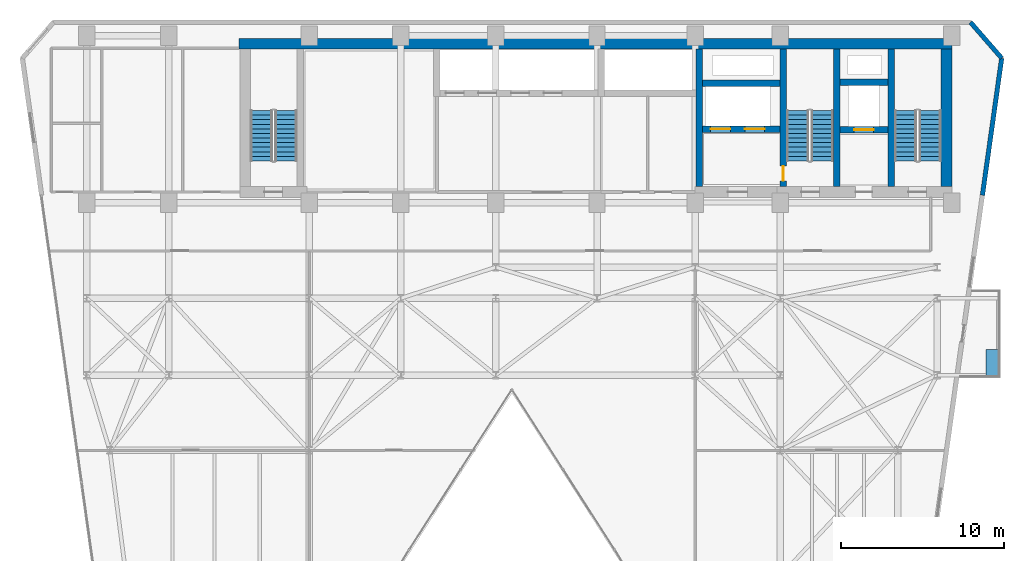
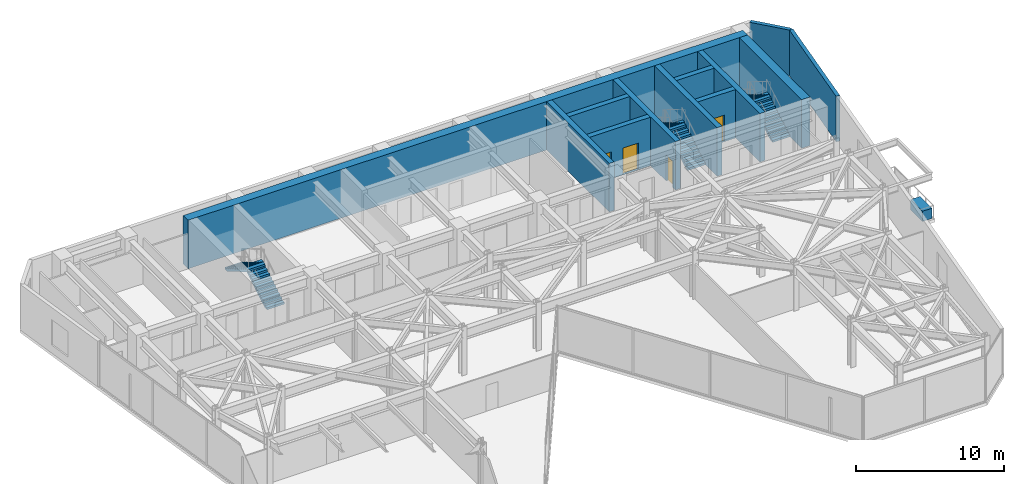
# One storey, part 23 of 26: 12 walls, 6 stair flights, 4 doors, 1 discrete accessory, 4 openings, 3 elements without a shape of their own.
"""IFC4 building model written with IfcOpenShell, lengths in metres."""

import ifcopenshell
import ifcopenshell.guid

model = None  # the IFC model being written
_history = None  # IfcOwnerHistory: only IFC2X3 demands one
_inside = {}  # id of a spatial element -> (the spatial element, [elements in it])
_under = {}  # id of a project, library or spatial element -> (it, [spatial elements below it])
_declared = {}  # id of a project -> (the project, [libraries it declares])
_typed = {}  # id of a type object -> (the type object, [elements of that type])
_made_of = {}  # id of a material, layer set ... -> (it, [elements and type objects made of it])


def new_model(schema):
    """Start an empty IFC model of exactly this schema.

    Asked for "IFC4X3", IfcOpenShell would pick the latest addendum, in which some entities
    have other attributes; the version numbers below select the first issue.
    IFC2X3 requires an IfcOwnerHistory on every rooted entity: one is made here for all.
    """
    global model, _history
    if schema == "IFC4X3":
        model = ifcopenshell.file(schema_version=(4, 3, 0, 0))
    else:
        model = ifcopenshell.file(schema=schema)
    _inside.clear()
    _under.clear()
    _declared.clear()
    _typed.clear()
    _made_of.clear()
    _history = None
    if model.schema == "IFC2X3":
        org = make("IfcOrganization", Name="unknown")
        user = make(
            "IfcPersonAndOrganization",
            ThePerson=make("IfcPerson", FamilyName="unknown"),
            TheOrganization=org,
        )
        app = make(
            "IfcApplication",
            ApplicationDeveloper=org,
            Version="unknown",
            ApplicationFullName="unknown",
            ApplicationIdentifier="unknown",
        )
        _history = make(
            "IfcOwnerHistory",
            OwningUser=user,
            OwningApplication=app,
            ChangeAction="ADDED",
            CreationDate=0,
        )
    return model


def make(cls, **values):
    """One entity of the class cls with the attributes given. An attribute that is None is left unset."""
    return model.create_entity(
        cls, **{name: value for name, value in values.items() if value is not None}
    )


def rooted(cls, **values):
    """An entity with a GlobalId (a new one), such as an element, a storey or a relation."""
    return make(cls, GlobalId=ifcopenshell.guid.new(), OwnerHistory=_history, **values)


def si_unit(unit_type, name, prefix=None):
    """IfcSIUnit, for example si_unit("LENGTHUNIT", "METRE", prefix="MILLI")."""
    return make("IfcSIUnit", UnitType=unit_type, Prefix=prefix, Name=name)


def assignment(units):
    """IfcUnitAssignment: the units of a project."""
    return None if units is None else make("IfcUnitAssignment", Units=units)


def point(xyz):
    """IfcCartesianPoint."""
    return None if xyz is None else make("IfcCartesianPoint", Coordinates=xyz)


def direction(xyz):
    """IfcDirection."""
    return None if xyz is None else make("IfcDirection", DirectionRatios=xyz)


def frame(location, z_axis=None, x_axis=None):
    """IfcAxis2Placement3D, a coordinate frame: its origin and axes. An axis left out is left unset."""
    return make(
        "IfcAxis2Placement3D",
        Location=point(location),
        Axis=direction(z_axis),
        RefDirection=direction(x_axis),
    )


def frame_2d(location, x_axis=None):
    """IfcAxis2Placement2D, a coordinate frame in the plane: its origin and x axis."""
    return make(
        "IfcAxis2Placement2D", Location=point(location), RefDirection=direction(x_axis)
    )


def origin():
    """The frame at (0, 0, 0) with its axes left unset."""
    return frame((0.0, 0.0, 0.0))


def origin_2d():
    """The frame at (0, 0) in the plane with its x axis left unset."""
    return frame_2d((0.0, 0.0))


def place(relative_to, where):
    """IfcLocalPlacement: puts the frame where relative to a parent placement (None: the world)."""
    return make(
        "IfcLocalPlacement", PlacementRelTo=relative_to, RelativePlacement=where
    )


def context(
    kind, dimensions, precision=None, world=None, true_north=None, identifier=None
):
    """IfcGeometricRepresentationContext, for example the 3D "Model" context."""
    return make(
        "IfcGeometricRepresentationContext",
        ContextIdentifier=identifier,
        ContextType=kind,
        CoordinateSpaceDimension=dimensions,
        Precision=precision,
        WorldCoordinateSystem=world,
        TrueNorth=true_north,
    )


def subcontext(parent, identifier, kind, view, scale=None):
    """IfcGeometricRepresentationSubContext, for example "Body" below "Model"."""
    return make(
        "IfcGeometricRepresentationSubContext",
        ContextIdentifier=identifier,
        ContextType=kind,
        ParentContext=parent,
        TargetScale=scale,
        TargetView=view,
    )


def project(units=None, contexts=None):
    """IfcProject with its units and contexts."""
    return rooted(
        "IfcProject",
        Name="project",
        RepresentationContexts=contexts,
        UnitsInContext=assignment(units),
    )


def spatial(cls, under=None, at=None, **own):
    """A site, building, storey or space (cls), placed at a placement, below another one or the project."""
    s = rooted(cls, ObjectPlacement=at, **own)
    if under is not None:
        _under.setdefault(under.id(), (under, []))[1].append(s)
    return s


def polyline(points):
    """IfcPolyline through the points."""
    return make("IfcPolyline", Points=[point(p) for p in points])


def profile(cls, at=None, kind="AREA", **sizes):
    """A parametric profile (cls). Its sizes go by their IFC names, for example OverallWidth=200.0."""
    return make(cls, ProfileType=kind, Position=at, **sizes)


def rectangle(**sizes):
    """IfcRectangleProfileDef."""
    return profile("IfcRectangleProfileDef", **sizes)


def outline(outer, holes=None, kind="AREA"):
    """IfcArbitraryClosedProfileDef: a profile drawn as a closed curve; with holes, ...WithVoids."""
    if holes is None:
        return make("IfcArbitraryClosedProfileDef", ProfileType=kind, OuterCurve=outer)
    return make(
        "IfcArbitraryProfileDefWithVoids",
        ProfileType=kind,
        OuterCurve=outer,
        InnerCurves=holes,
    )


def extrude(swept, where, along, depth):
    """IfcExtrudedAreaSolid: the profile swept, set in the frame where, extruded along a direction by depth."""
    return make(
        "IfcExtrudedAreaSolid",
        SweptArea=swept,
        Position=where,
        ExtrudedDirection=direction(along),
        Depth=depth,
    )


def shape(context_of_items, identifier, shape_type, items):
    """IfcShapeRepresentation: the items that make up one representation, for example the "Body"."""
    return make(
        "IfcShapeRepresentation",
        ContextOfItems=context_of_items,
        RepresentationIdentifier=identifier,
        RepresentationType=shape_type,
        Items=items,
    )


def material(Name=None, Category=None):
    """IfcMaterial."""
    return make("IfcMaterial", Name=Name, Category=Category)


def layer(
    of_material, thickness, ventilated=None, Name=None, Category=None, Priority=None
):
    """IfcMaterialLayer: one layer of a wall or slab, of a material (None: an air gap)."""
    return make(
        "IfcMaterialLayer",
        Material=of_material,
        LayerThickness=thickness,
        IsVentilated=ventilated,
        Name=Name,
        Category=Category,
        Priority=Priority,
    )


def layer_set(layers, Name=None):
    """IfcMaterialLayerSet."""
    return make("IfcMaterialLayerSet", MaterialLayers=layers, LayerSetName=Name)


def made_of(thing, what):
    """Note that an element or type object is made of a material, layer set ...; save() writes the relation."""
    if what is not None:
        _made_of.setdefault(what.id(), (what, []))[1].append(thing)
    return thing


def type_object(cls, material=None, **own):
    """A type object (cls), such as IfcWallType, which elements share."""
    return made_of(rooted(cls, **own), material)


def element(
    cls,
    number,
    at=None,
    inside=None,
    cuts=None,
    type_object=None,
    material=None,
    context=None,
    identifier="Body",
    shape_type=None,
    held_by="IfcProductDefinitionShape",
    body=None,
    shapes=None,
    **own,
):
    """One element of the class cls, such as IfcWall. Its Tag is "e" and its number.

    at: its placement. inside: the storey or other place that contains it. cuts: it is an
    opening in that element (IfcRelVoidsElement). A single representation is given by context,
    identifier, shape_type and body (its items); several are given by shapes. held_by: the class
    of the entity that holds the representations. save() writes the other relations.
    """
    e = rooted(cls, Tag="e%d" % number, ObjectPlacement=at, **own)
    if body is not None:
        shapes = [shape(context, identifier, shape_type, body)]
    if shapes is not None:
        e.Representation = make(held_by, Representations=shapes)
    if inside is not None:
        _inside.setdefault(inside.id(), (inside, []))[1].append(e)
    if cuts is not None:
        rooted(
            "IfcRelVoidsElement", RelatingBuildingElement=cuts, RelatedOpeningElement=e
        )
    if type_object is not None:
        _typed.setdefault(type_object.id(), (type_object, []))[1].append(e)
    return made_of(e, material)


def fill(opening, filler):
    """IfcRelFillsElement: the door or window that sits in an opening."""
    return rooted(
        "IfcRelFillsElement",
        RelatingOpeningElement=opening,
        RelatedBuildingElement=filler,
    )


def aggregate(whole, parts):
    """IfcRelAggregates: a whole, such as a stair, and the parts it consists of."""
    return rooted("IfcRelAggregates", RelatingObject=whole, RelatedObjects=parts)


def save(model, path):
    """Write the relations noted so far, then the file.

    IfcRelAggregates (storeys below a building ...), IfcRelContainedInSpatialStructure (elements
    in a storey), IfcRelDefinesByType, IfcRelAssociatesMaterial and IfcRelDeclares: one each for
    every whole, place, type object, material and project.
    """
    for whole, parts in _under.values():
        aggregate(whole, parts)
    for where, things in _inside.values():
        rooted(
            "IfcRelContainedInSpatialStructure",
            RelatedElements=things,
            RelatingStructure=where,
        )
    for kind, things in _typed.values():
        rooted("IfcRelDefinesByType", RelatedObjects=things, RelatingType=kind)
    for what, things in _made_of.values():
        rooted("IfcRelAssociatesMaterial", RelatedObjects=things, RelatingMaterial=what)
    for by, libraries in _declared.values():
        rooted("IfcRelDeclares", RelatingContext=by, RelatedDefinitions=libraries)
    model.write(path)


model = new_model("IFC4")

# Units and contexts
model_context = context("Model", 3, precision=1e-05, world=origin(), true_north=direction((0.0, 1.0)))
body_context = subcontext(model_context, "Body", "Model", "MODEL_VIEW")
ifc_project = project(units=[si_unit("LENGTHUNIT", "METRE"), si_unit("AREAUNIT", "SQUARE_METRE"), si_unit("VOLUMEUNIT", "CUBIC_METRE"), si_unit("PLANEANGLEUNIT", "RADIAN"), si_unit("MASSUNIT", "GRAM", prefix="KILO")], contexts=[model_context])

# Site, building, storey
site_placement = place(None, origin())
site = spatial("IfcSite", under=ifc_project, at=site_placement, CompositionType="ELEMENT")
building_placement = place(site_placement, origin())
building = spatial("IfcBuilding", under=site, at=building_placement, Name="Kravanh Interchange Tower", CompositionType="ELEMENT")
storey_placement = place(building_placement, frame((0.0, 0.0, 144.0)))
storey = spatial("IfcBuildingStorey", under=building, at=storey_placement, Name="L34", CompositionType="ELEMENT", Elevation=144.0)

# Walls
ifc_material_1 = material(Name="Concrete C70/85", Category="concrete")
ifc_layer_1 = layer(ifc_material_1, 0.64990234375)
ifc_layer_set_1 = layer_set([ifc_layer_1], Name="Core Shear Wall Concrete C70/85 650mm")
wall_type_1 = type_object("IfcWallType", Name="Core Shear Wall Concrete C70/85 650mm", PredefinedType="SHEAR", material=ifc_layer_set_1)
wall_1_placement = place(storey_placement, frame((22.89990234375, 47.074951171875, 0.0), z_axis=(0.0, 0.0, 1.0), x_axis=(1.0, 0.0, 0.0)))
element("IfcWall", 1, at=wall_1_placement, inside=storey, type_object=wall_type_1, Name="L34 North Core Shear Wall", PredefinedType="SHEAR", context=body_context, shape_type="SweptSolid", body=[
    extrude(rectangle(XDim=43.60009765625, YDim=0.64990234375, at=frame_2d((21.800048828125, 0.0))), origin(), (0.0, 0.0, 1.0), 4.0),
])
wall_2_placement = place(storey_placement, frame((66.175048828125, 38.324951171875, 0.0), z_axis=(0.0, 0.0, 1.0), x_axis=(0.0, 1.0, 0.0)))
element("IfcWall", 2, at=wall_2_placement, inside=storey, type_object=wall_type_1, Name="L34 Stair ST1 East Shear Wall", PredefinedType="SHEAR", context=body_context, shape_type="SweptSolid", body=[
    extrude(rectangle(XDim=8.425048828125, YDim=0.64990234375, at=frame_2d((4.21240234375, 0.0))), origin(), (0.0, 0.0, 1.0), 4.0),
])
ifc_material_2 = material(Name="Concrete C80/95", Category="concrete")
ifc_layer_2 = layer(ifc_material_2, 0.39990234375)
ifc_layer_set_2 = layer_set([ifc_layer_2], Name="Core Shear Wall Concrete C80/95 400mm")
wall_type_2 = type_object("IfcWallType", Name="Core Shear Wall Concrete C80/95 400mm", PredefinedType="SHEAR", material=ifc_layer_set_2)
for number, where, z_axis, x_axis, name in (
    (3, (62.800048828125, 38.324951171875, 0.0), (0.0, 0.0, 1.0), (0.0, 1.0, 0.0), "L34 Stair ST1 West Shear Wall"),
    (4, (59.449951171875, 38.324951171875, 0.0), (0.0, 0.0, 1.0), (0.0, 1.0, 0.0), "L34 Stair ST2 East Shear Wall"),
):
    element("IfcWall", number, at=place(storey_placement, frame(where, z_axis=z_axis, x_axis=x_axis)), inside=storey, type_object=wall_type_2, Name=name, PredefinedType="SHEAR", context=body_context, shape_type="SweptSolid", body=[
        extrude(rectangle(XDim=8.425048828125, YDim=0.39990234375, at=frame_2d((4.21240234375, 0.0))), origin(), (0.0, 0.0, 1.0), 4.0),
    ])

# Wall, opening, door
wall_3_placement = place(storey_placement, frame((56.199951171875, 38.324951171875, 0.0), z_axis=(0.0, 0.0, 1.0), x_axis=(0.0, 1.0, 0.0)))
wall_3 = element("IfcWall", 5, at=wall_3_placement, inside=storey, type_object=wall_type_2, Name="L34 Stair ST2 West Shear Wall", PredefinedType="SHEAR", context=body_context, shape_type="SweptSolid", body=[
    extrude(rectangle(XDim=8.425048828125, YDim=0.39990234375, at=frame_2d((4.21240234375, 0.0))), origin(), (0.0, 0.0, 1.0), 4.0),
])
opening_1_placement = place(wall_3_placement, frame((0.35498046875, 0.0, 0.0)))
opening_1 = element("IfcOpeningElement", 6, at=opening_1_placement, cuts=wall_3, Name="Opening D-STAIR-90", PredefinedType="OPENING", context=body_context, shape_type="SweptSolid", body=[
    extrude(rectangle(XDim=0.89990234375, YDim=2.14990234375, at=frame_2d((0.449951171875, 1.074951171875))), frame((0.0, 0.2099609375, 0.0), z_axis=(0.0, -1.0, 0.0), x_axis=(1.0, 0.0, 0.0)), (0.0, 0.0, 1.0), 0.419921875),
])
ifc_material_3 = material(Name="Structural Steel S355", Category="steel")
door_type_1 = type_object("IfcDoorType", Name="Fire-Rated Stair Lobby Door 900x2150", OperationType="NOTDEFINED", PredefinedType="DOOR", material=ifc_material_3)
door_1_placement = place(opening_1_placement, origin())
door_1 = element("IfcDoor", 7, at=door_1_placement, inside=storey, type_object=door_type_1, Name="L34 Firefighting Lobby to Stair ST2 Door", OperationType="SINGLE_SWING_LEFT", OverallHeight=2.14990234375, OverallWidth=0.89990234375, PredefinedType="DOOR", context=body_context, shape_type="SweptSolid", body=[
    extrude(rectangle(XDim=0.89990234375, YDim=2.14990234375, at=frame_2d((0.449951171875, 1.074951171875))), frame((0.0, 0.02490234375, 0.0), z_axis=(0.0, -1.0, 0.0), x_axis=(1.0, 0.0, 0.0)), (0.0, 0.0, 1.0), 0.050048828125),
])
fill(opening_1, door_1)

wall_4_placement = place(storey_placement, frame((59.64990234375, 41.800048828125, 0.0), z_axis=(0.0, 0.0, 1.0), x_axis=(1.0, 0.0, 0.0)))
wall_4 = element("IfcWall", 8, at=wall_4_placement, inside=storey, type_object=wall_type_2, Name="L34 Service Lift Shaft South Wall", PredefinedType="SHEAR", context=body_context, shape_type="SweptSolid", body=[
    extrude(rectangle(XDim=2.9501953125, YDim=0.39990234375, at=frame_2d((1.47509765625, 0.0))), origin(), (0.0, 0.0, 1.0), 4.0),
])
opening_2_placement = place(wall_4_placement, frame((0.8701171875, 0.0, 0.0)))
opening_2 = element("IfcOpeningElement", 9, at=opening_2_placement, cuts=wall_4, Name="Opening LD02", PredefinedType="OPENING", context=body_context, shape_type="SweptSolid", body=[
    extrude(rectangle(XDim=1.199951171875, YDim=2.199951171875, at=frame_2d((0.60009765625, 1.10009765625))), frame((0.0, 0.2099609375, 0.0), z_axis=(0.0, -1.0, 0.0), x_axis=(1.0, 0.0, 0.0)), (0.0, 0.0, 1.0), 0.419921875),
])
ifc_material_4 = material(Name="Stainless Steel 316", Category="steel")
door_type_2 = type_object("IfcDoorType", Name="Fire and Service Lift Sliding Landing Door 1200x2200", OperationType="DOUBLE_DOOR_SLIDING", PredefinedType="DOOR", material=ifc_material_4)
door_2_placement = place(opening_2_placement, origin())
door_2 = element("IfcDoor", 10, at=door_2_placement, inside=storey, type_object=door_type_2, Name="L34 Lift LS-01 Landing Door", OperationType="DOUBLE_DOOR_SLIDING", OverallHeight=2.199951171875, OverallWidth=1.199951171875, PredefinedType="DOOR", context=body_context, shape_type="SweptSolid", body=[
    extrude(rectangle(XDim=1.199951171875, YDim=2.199951171875, at=frame_2d((0.60009765625, 1.10009765625))), frame((0.0, 0.02490234375, 0.0), z_axis=(0.0, -1.0, 0.0), x_axis=(1.0, 0.0, 0.0)), (0.0, 0.0, 1.0), 0.050048828125),
])
fill(opening_2, door_2)

# Wall
wall_5_placement = place(storey_placement, frame((59.64990234375, 44.699951171875, 0.0), z_axis=(0.0, 0.0, 1.0), x_axis=(1.0, 0.0, 0.0)))
element("IfcWall", 11, at=wall_5_placement, inside=storey, type_object=wall_type_2, Name="L34 Service Lift Shaft North Wall", PredefinedType="SHEAR", context=body_context, shape_type="SweptSolid", body=[
    extrude(rectangle(XDim=2.9501953125, YDim=0.39990234375, at=frame_2d((1.47509765625, 0.0))), origin(), (0.0, 0.0, 1.0), 4.0),
])

# Wall, openings, doors
wall_6_placement = place(storey_placement, frame((51.25, 41.85009765625, 0.0), z_axis=(0.0, 0.0, 1.0), x_axis=(1.0, 0.0, 0.0)))
wall_6 = element("IfcWall", 12, at=wall_6_placement, inside=storey, type_object=wall_type_2, Name="L34 Fire Lift Shaft South Wall", PredefinedType="SHEAR", context=body_context, shape_type="SweptSolid", body=[
    extrude(rectangle(XDim=4.75, YDim=0.39990234375, at=frame_2d((2.375, 0.0))), origin(), (0.0, 0.0, 1.0), 4.0),
])
opening_3_placement = place(wall_6_placement, frame((0.5, 0.0, 0.0)))
opening_3 = element("IfcOpeningElement", 13, at=opening_3_placement, cuts=wall_6, Name="Opening LD02", PredefinedType="OPENING", context=body_context, shape_type="SweptSolid", body=[
    extrude(rectangle(XDim=1.199951171875, YDim=2.199951171875, at=frame_2d((0.60009765625, 1.10009765625))), frame((0.0, 0.2099609375, 0.0), z_axis=(0.0, -1.0, 0.0), x_axis=(1.0, 0.0, 0.0)), (0.0, 0.0, 1.0), 0.419921875),
])
opening_4_placement = place(wall_6_placement, frame((2.60009765625, 0.0, 0.0)))
opening_4 = element("IfcOpeningElement", 14, at=opening_4_placement, cuts=wall_6, Name="Opening LD02", PredefinedType="OPENING", context=body_context, shape_type="SweptSolid", body=[
    extrude(rectangle(XDim=1.199951171875, YDim=2.199951171875, at=frame_2d((0.60009765625, 1.10009765625))), frame((0.0, 0.2099609375, 0.0), z_axis=(0.0, -1.0, 0.0), x_axis=(1.0, 0.0, 0.0)), (0.0, 0.0, 1.0), 0.419921875),
])
door_3_placement = place(opening_3_placement, origin())
door_3 = element("IfcDoor", 15, at=door_3_placement, inside=storey, type_object=door_type_2, Name="L34 Lift FSAE-01 Landing Door", OperationType="DOUBLE_DOOR_SLIDING", OverallHeight=2.199951171875, OverallWidth=1.199951171875, PredefinedType="DOOR", context=body_context, shape_type="SweptSolid", body=[
    extrude(rectangle(XDim=1.199951171875, YDim=2.199951171875, at=frame_2d((0.60009765625, 1.10009765625))), frame((0.0, 0.02490234375, 0.0), z_axis=(0.0, -1.0, 0.0), x_axis=(1.0, 0.0, 0.0)), (0.0, 0.0, 1.0), 0.050048828125),
])
fill(opening_3, door_3)
door_4_placement = place(opening_4_placement, origin())
door_4 = element("IfcDoor", 16, at=door_4_placement, inside=storey, type_object=door_type_2, Name="L34 Lift FSAE-02 Landing Door", OperationType="DOUBLE_DOOR_SLIDING", OverallHeight=2.199951171875, OverallWidth=1.199951171875, PredefinedType="DOOR", context=body_context, shape_type="SweptSolid", body=[
    extrude(rectangle(XDim=1.199951171875, YDim=2.199951171875, at=frame_2d((0.60009765625, 1.10009765625))), frame((0.0, 0.02490234375, 0.0), z_axis=(0.0, -1.0, 0.0), x_axis=(1.0, 0.0, 0.0)), (0.0, 0.0, 1.0), 0.050048828125),
])
fill(opening_4, door_4)

# Walls
wall_7_placement = place(storey_placement, frame((51.25, 44.64990234375, 0.0), z_axis=(0.0, 0.0, 1.0), x_axis=(1.0, 0.0, 0.0)))
element("IfcWall", 17, at=wall_7_placement, inside=storey, type_object=wall_type_2, Name="L34 Fire Lift Shaft North Wall", PredefinedType="SHEAR", context=body_context, shape_type="SweptSolid", body=[
    extrude(rectangle(XDim=4.75, YDim=0.39990234375, at=frame_2d((2.375, 0.0))), origin(), (0.0, 0.0, 1.0), 4.0),
])
wall_8_placement = place(storey_placement, frame((51.050048828125, 38.324951171875, 0.0), z_axis=(0.0, 0.0, 1.0), x_axis=(0.0, 1.0, 0.0)))
element("IfcWall", 18, at=wall_8_placement, inside=storey, type_object=wall_type_2, Name="L34 Firefighting Lobby West Wall", PredefinedType="SHEAR", context=body_context, shape_type="SweptSolid", body=[
    extrude(rectangle(XDim=8.425048828125, YDim=0.39990234375, at=frame_2d((4.21240234375, 0.0))), origin(), (0.0, 0.0, 1.0), 4.0),
])
ifc_material_5 = material(Name="Insulated Precast Concrete C40/50 with Bronze Cladding", Category="concrete")
ifc_layer_3 = layer(ifc_material_5, 0.280029296875)
ifc_layer_set_3 = layer_set([ifc_layer_3], Name="Exterior Insulated Concrete C40/50 Bronze Spandrel Wall 280mm")
wall_type_3 = type_object("IfcWallType", Name="Exterior Insulated Concrete C40/50 Bronze Spandrel Wall 280mm", PredefinedType="STANDARD", material=ifc_layer_set_3)
wall_9_placement = place(storey_placement, frame((67.645263671875, 48.3798828125, 0.0), z_axis=(0.0, 0.0, 1.0), x_axis=(0.656070644076, -0.754699483226, 0.0)))
element("IfcWall", 19, at=wall_9_placement, inside=storey, type_object=wall_type_3, Name="L34 Exterior Wall 4", PredefinedType="STANDARD", context=body_context, shape_type="SweptSolid", body=[
    extrude(rectangle(XDim=2.908447265625, YDim=0.280029296875, at=frame_2d((1.4541015625, 0.0))), origin(), (0.0, 0.0, 1.0), 3.75),
])
wall_10_placement = place(storey_placement, frame((69.553466796875, 46.184814453125, 0.0), z_axis=(0.0, 0.0, 1.0), x_axis=(-0.139180610108, -0.990267013371, 0.0)))
element("IfcWall", 20, at=wall_10_placement, inside=storey, type_object=wall_type_3, Name="L34 Exterior Wall 5", PredefinedType="STANDARD", context=body_context, shape_type="SweptSolid", body=[
    extrude(rectangle(XDim=8.46728515625, YDim=0.280029296875, at=frame_2d((4.233642578125, 0.0))), origin(), (0.0, 0.0, 1.0), 3.75),
])

# Stair, stair flights
ifc_material_6 = material(Name="Concrete C50/60", Category="concrete")
stair_type = type_object("IfcStairType", Name="Core Fire Exit Dogleg Stair Concrete C50/60", PredefinedType="HALF_TURN_STAIR", material=ifc_material_6)
stair_1_placement = place(storey_placement, origin())
stair_1 = element("IfcStair", 21, at=stair_1_placement, inside=storey, type_object=stair_type, Name="L34 Exit Stair ST1", PredefinedType="HALF_TURN_STAIR")
ifc_material_7 = material(Name="Precast Concrete C50/60", Category="concrete")
ifc_layer_4 = layer(ifc_material_7, 0.199951171875)
ifc_layer_set_4 = layer_set([ifc_layer_4], Name="Precast Concrete C50/60 Stair Flight 1350mm")
stair_flight_type = type_object("IfcStairFlightType", Name="Precast Concrete C50/60 Stair Flight 1350mm", PredefinedType="STRAIGHT", material=ifc_layer_set_4)
stair_flight_1_placement = place(storey_placement, frame((65.175048828125, 39.89990234375, 0.0), z_axis=(0.0, 0.0, 1.0), x_axis=(0.0, 1.0, 0.0)))
stair_flight_1 = element("IfcStairFlight", 22, at=stair_flight_1_placement, type_object=stair_flight_type, Name="ST1 flight 1", NumberOfRisers=12, NumberOfTreads=11, PredefinedType="STRAIGHT", RiserHeight=0.166666667, TreadLength=0.28, context=body_context, shape_type="SweptSolid", body=[
    extrude(outline(polyline([(0.0, 0.0), (0.0, 0.166748046875), (0.280029296875, 0.166748046875), (0.280029296875, 0.333251953125), (0.56005859375, 0.333251953125), (0.56005859375, 0.5), (0.840087890625, 0.5), (0.840087890625, 0.666748046875), (1.1201171875, 0.666748046875), (1.1201171875, 0.833251953125), (1.39990234375, 0.833251953125), (1.39990234375, 1.0), (1.679931640625, 1.0), (1.679931640625, 1.166748046875), (1.9599609375, 1.166748046875), (1.9599609375, 1.333251953125), (2.239990234375, 1.333251953125), (2.239990234375, 1.5), (2.52001953125, 1.5), (2.52001953125, 1.666748046875), (2.800048828125, 1.666748046875), (2.800048828125, 1.833251953125), (3.080078125, 1.833251953125), (3.080078125, 2.0), (3.080078125, 1.658935546875), (0.29296875, 0.0), (0.0, 0.0)])), frame((0.0, 0.675048828125, 0.0), z_axis=(0.0, -1.0, 0.0), x_axis=(1.0, 0.0, 0.0)), (0.0, 0.0, 1.0), 1.35009765625),
])
stair_flight_2_placement = place(storey_placement, frame((63.675048828125, 42.97998046875, 2.0), z_axis=(0.0, 0.0, 1.0), x_axis=(0.0, -1.0, 0.0)))
stair_flight_2 = element("IfcStairFlight", 23, at=stair_flight_2_placement, type_object=stair_flight_type, Name="ST1 flight 2", NumberOfRisers=12, NumberOfTreads=11, PredefinedType="STRAIGHT", RiserHeight=0.166666667, TreadLength=0.28, context=body_context, shape_type="SweptSolid", body=[
    extrude(outline(polyline([(0.0, 0.0), (0.0, 0.166748046875), (0.280029296875, 0.166748046875), (0.280029296875, 0.333251953125), (0.56005859375, 0.333251953125), (0.56005859375, 0.5), (0.840087890625, 0.5), (0.840087890625, 0.666748046875), (1.1201171875, 0.666748046875), (1.1201171875, 0.833251953125), (1.39990234375, 0.833251953125), (1.39990234375, 1.0), (1.679931640625, 1.0), (1.679931640625, 1.166748046875), (1.9599609375, 1.166748046875), (1.9599609375, 1.333251953125), (2.239990234375, 1.333251953125), (2.239990234375, 1.5), (2.52001953125, 1.5), (2.52001953125, 1.666748046875), (2.800048828125, 1.666748046875), (2.800048828125, 1.833251953125), (3.080078125, 1.833251953125), (3.080078125, 2.0), (3.080078125, 1.658935546875), (0.29296875, 0.0), (0.0, 0.0)])), frame((0.0, 0.675048828125, 0.0), z_axis=(0.0, -1.0, 0.0), x_axis=(1.0, 0.0, 0.0)), (0.0, 0.0, 1.0), 1.35009765625),
])
aggregate(stair_1, [stair_flight_1, stair_flight_2])

stair_2_placement = place(storey_placement, origin())
stair_2 = element("IfcStair", 24, at=stair_2_placement, inside=storey, type_object=stair_type, Name="L34 Exit Stair ST2", PredefinedType="HALF_TURN_STAIR")
stair_flight_3_placement = place(storey_placement, frame((58.574951171875, 39.89990234375, 0.0), z_axis=(0.0, 0.0, 1.0), x_axis=(0.0, 1.0, 0.0)))
stair_flight_3 = element("IfcStairFlight", 25, at=stair_flight_3_placement, type_object=stair_flight_type, Name="ST2 flight 1", NumberOfRisers=12, NumberOfTreads=11, PredefinedType="STRAIGHT", RiserHeight=0.166666667, TreadLength=0.28, context=body_context, shape_type="SweptSolid", body=[
    extrude(outline(polyline([(0.0, 0.0), (0.0, 0.166748046875), (0.280029296875, 0.166748046875), (0.280029296875, 0.333251953125), (0.56005859375, 0.333251953125), (0.56005859375, 0.5), (0.840087890625, 0.5), (0.840087890625, 0.666748046875), (1.1201171875, 0.666748046875), (1.1201171875, 0.833251953125), (1.39990234375, 0.833251953125), (1.39990234375, 1.0), (1.679931640625, 1.0), (1.679931640625, 1.166748046875), (1.9599609375, 1.166748046875), (1.9599609375, 1.333251953125), (2.239990234375, 1.333251953125), (2.239990234375, 1.5), (2.52001953125, 1.5), (2.52001953125, 1.666748046875), (2.800048828125, 1.666748046875), (2.800048828125, 1.833251953125), (3.080078125, 1.833251953125), (3.080078125, 2.0), (3.080078125, 1.658935546875), (0.29296875, 0.0), (0.0, 0.0)])), frame((0.0, 0.675048828125, 0.0), z_axis=(0.0, -1.0, 0.0), x_axis=(1.0, 0.0, 0.0)), (0.0, 0.0, 1.0), 1.35009765625),
])
stair_flight_4_placement = place(storey_placement, frame((57.074951171875, 42.97998046875, 2.0), z_axis=(0.0, 0.0, 1.0), x_axis=(0.0, -1.0, 0.0)))
stair_flight_4 = element("IfcStairFlight", 26, at=stair_flight_4_placement, type_object=stair_flight_type, Name="ST2 flight 2", NumberOfRisers=12, NumberOfTreads=11, PredefinedType="STRAIGHT", RiserHeight=0.166666667, TreadLength=0.28, context=body_context, shape_type="SweptSolid", body=[
    extrude(outline(polyline([(0.0, 0.0), (0.0, 0.166748046875), (0.280029296875, 0.166748046875), (0.280029296875, 0.333251953125), (0.56005859375, 0.333251953125), (0.56005859375, 0.5), (0.840087890625, 0.5), (0.840087890625, 0.666748046875), (1.1201171875, 0.666748046875), (1.1201171875, 0.833251953125), (1.39990234375, 0.833251953125), (1.39990234375, 1.0), (1.679931640625, 1.0), (1.679931640625, 1.166748046875), (1.9599609375, 1.166748046875), (1.9599609375, 1.333251953125), (2.239990234375, 1.333251953125), (2.239990234375, 1.5), (2.52001953125, 1.5), (2.52001953125, 1.666748046875), (2.800048828125, 1.666748046875), (2.800048828125, 1.833251953125), (3.080078125, 1.833251953125), (3.080078125, 2.0), (3.080078125, 1.658935546875), (0.29296875, 0.0), (0.0, 0.0)])), frame((0.0, 0.675048828125, 0.0), z_axis=(0.0, -1.0, 0.0), x_axis=(1.0, 0.0, 0.0)), (0.0, 0.0, 1.0), 1.35009765625),
])
aggregate(stair_2, [stair_flight_3, stair_flight_4])

stair_3_placement = place(storey_placement, origin())
stair_3 = element("IfcStair", 27, at=stair_3_placement, inside=storey, type_object=stair_type, Name="L34 Exit Stair ST3", PredefinedType="HALF_TURN_STAIR")
stair_flight_5_placement = place(storey_placement, frame((25.77490234375, 39.89990234375, 0.0), z_axis=(0.0, 0.0, 1.0), x_axis=(0.0, 1.0, 0.0)))
stair_flight_5 = element("IfcStairFlight", 28, at=stair_flight_5_placement, type_object=stair_flight_type, Name="ST3 flight 1", NumberOfRisers=12, NumberOfTreads=11, PredefinedType="STRAIGHT", RiserHeight=0.166666667, TreadLength=0.28, context=body_context, shape_type="SweptSolid", body=[
    extrude(outline(polyline([(0.0, 0.0), (0.0, 0.166748046875), (0.280029296875, 0.166748046875), (0.280029296875, 0.333251953125), (0.56005859375, 0.333251953125), (0.56005859375, 0.5), (0.840087890625, 0.5), (0.840087890625, 0.666748046875), (1.1201171875, 0.666748046875), (1.1201171875, 0.833251953125), (1.39990234375, 0.833251953125), (1.39990234375, 1.0), (1.679931640625, 1.0), (1.679931640625, 1.166748046875), (1.9599609375, 1.166748046875), (1.9599609375, 1.333251953125), (2.239990234375, 1.333251953125), (2.239990234375, 1.5), (2.52001953125, 1.5), (2.52001953125, 1.666748046875), (2.800048828125, 1.666748046875), (2.800048828125, 1.833251953125), (3.080078125, 1.833251953125), (3.080078125, 2.0), (3.080078125, 1.658935546875), (0.29296875, 0.0), (0.0, 0.0)])), frame((0.0, 0.675048828125, 0.0), z_axis=(0.0, -1.0, 0.0), x_axis=(1.0, 0.0, 0.0)), (0.0, 0.0, 1.0), 1.35009765625),
])
stair_flight_6_placement = place(storey_placement, frame((24.27490234375, 42.97998046875, 2.0), z_axis=(0.0, 0.0, 1.0), x_axis=(0.0, -1.0, 0.0)))
stair_flight_6 = element("IfcStairFlight", 29, at=stair_flight_6_placement, type_object=stair_flight_type, Name="ST3 flight 2", NumberOfRisers=12, NumberOfTreads=11, PredefinedType="STRAIGHT", RiserHeight=0.166666667, TreadLength=0.28, context=body_context, shape_type="SweptSolid", body=[
    extrude(outline(polyline([(0.0, 0.0), (0.0, 0.166748046875), (0.280029296875, 0.166748046875), (0.280029296875, 0.333251953125), (0.56005859375, 0.333251953125), (0.56005859375, 0.5), (0.840087890625, 0.5), (0.840087890625, 0.666748046875), (1.1201171875, 0.666748046875), (1.1201171875, 0.833251953125), (1.39990234375, 0.833251953125), (1.39990234375, 1.0), (1.679931640625, 1.0), (1.679931640625, 1.166748046875), (1.9599609375, 1.166748046875), (1.9599609375, 1.333251953125), (2.239990234375, 1.333251953125), (2.239990234375, 1.5), (2.52001953125, 1.5), (2.52001953125, 1.666748046875), (2.800048828125, 1.666748046875), (2.800048828125, 1.833251953125), (3.080078125, 1.833251953125), (3.080078125, 2.0), (3.080078125, 1.658935546875), (0.29296875, 0.0), (0.0, 0.0)])), frame((0.0, 0.675048828125, 0.0), z_axis=(0.0, -1.0, 0.0), x_axis=(1.0, 0.0, 0.0)), (0.0, 0.0, 1.0), 1.35009765625),
])
aggregate(stair_3, [stair_flight_5, stair_flight_6])

# Discrete accessory
ifc_material_8 = material(Name="Architectural GRC Concrete C40/50 with Root Barrier", Category="concrete")
discrete_accessory_type = type_object("IfcDiscreteAccessoryType", Name="Structural Balcony Tree Planter Box Concrete C40/50 1600x750x850", PredefinedType="USERDEFINED", material=ifc_material_8)
discrete_accessory_placement = place(storey_placement, frame((68.969970703125, 27.580078125, 0.0), z_axis=(0.0, 0.0, 1.0), x_axis=(1.0, 0.0, 0.0)))
element("IfcDiscreteAccessory", 30, at=discrete_accessory_placement, inside=storey, type_object=discrete_accessory_type, Name="L34 E Balcony TREE PLANTER", ObjectType="PLANTER", PredefinedType="USERDEFINED", context=body_context, shape_type="SweptSolid", body=[
    extrude(rectangle(XDim=0.75, YDim=1.60009765625, at=origin_2d()), origin(), (0.0, 0.0, 1.0), 0.85009765625),
])

save(model, "model.ifc")
